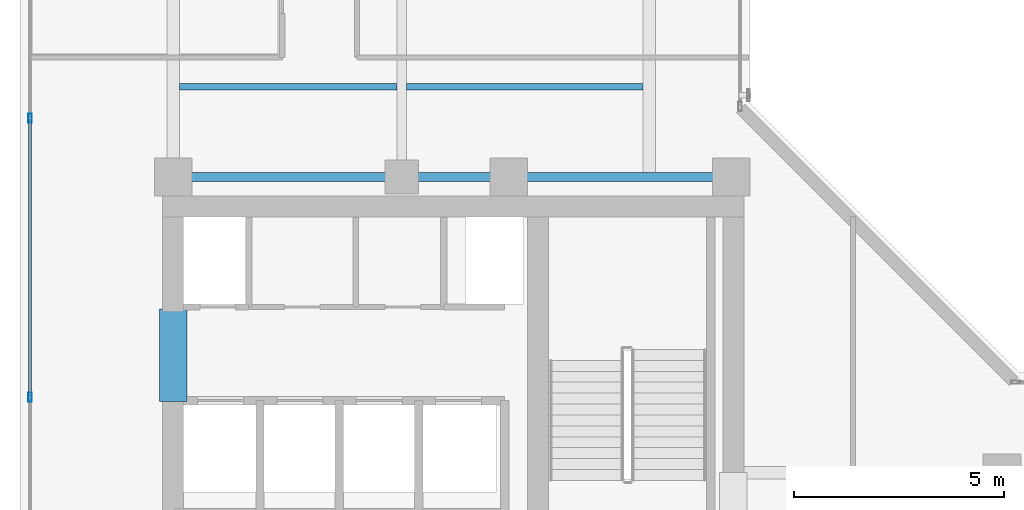
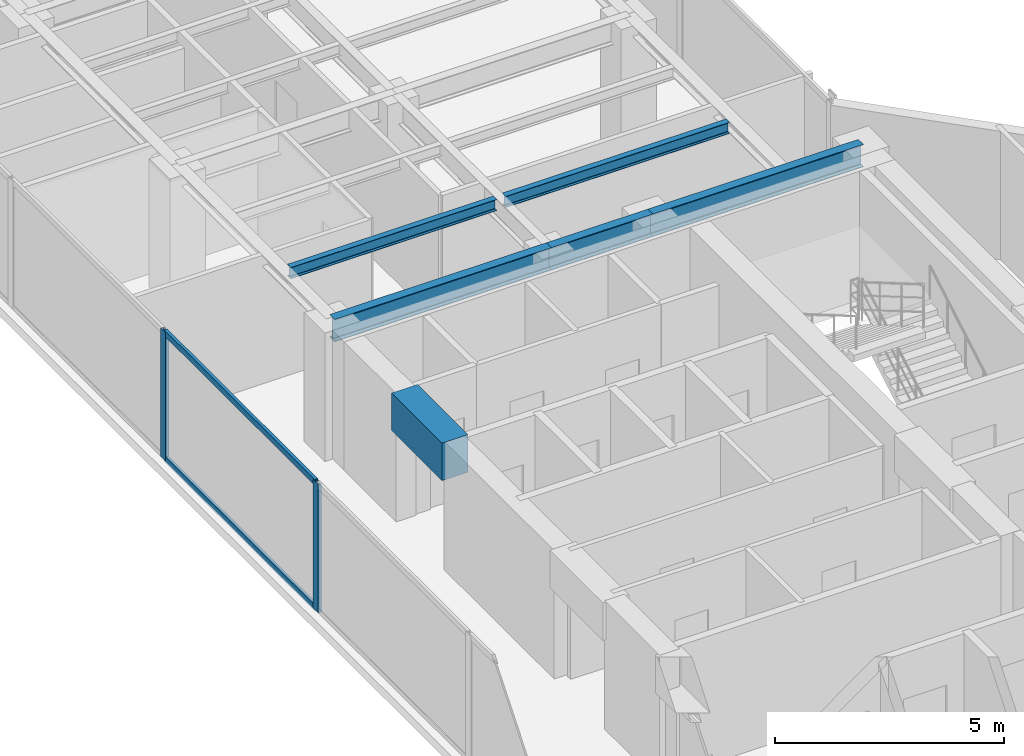
# One storey, part 6 of 23: 6 beams, 4 members, 1 element without a shape of its own.
"""IFC4 building model written with IfcOpenShell, lengths in metres."""

from ifc_helpers import new_model, si_unit, direction, frame, origin, origin_with_axes, origin_2d, place, context, subcontext, project, spatial, rectangle, hollow_rectangle, i_section, extrude, source, transform, mapped, material, layer, layer_set, material_profile, profile_set, type_object, element, aggregate, save


model = new_model("IFC4")

# Units and contexts
model_context = context("Model", 3, precision=1e-05, world=origin(), true_north=direction((0.0, 1.0)))
body_context = subcontext(model_context, "Body", "Model", "MODEL_VIEW")
ifc_project = project(units=[si_unit("LENGTHUNIT", "METRE"), si_unit("AREAUNIT", "SQUARE_METRE"), si_unit("VOLUMEUNIT", "CUBIC_METRE"), si_unit("PLANEANGLEUNIT", "RADIAN"), si_unit("MASSUNIT", "GRAM", prefix="KILO")], contexts=[model_context])

# Site, building, storey
site_placement = place(None, origin())
site = spatial("IfcSite", under=ifc_project, at=site_placement, CompositionType="ELEMENT")
building_placement = place(site_placement, origin())
building = spatial("IfcBuilding", under=site, at=building_placement, Name="Kolvaren Waterfront Exchange", CompositionType="ELEMENT")
storey_placement = place(building_placement, frame((0.0, 0.0, 335.0)))
storey = spatial("IfcBuildingStorey", under=building, at=storey_placement, Name="L86", CompositionType="ELEMENT", Elevation=335.0)

# Beams
ifc_material_1 = material(Name="Steel S355", Category="steel")
ifc_material_profile_1 = material_profile(ifc_material_1, i_section(OverallWidth=0.14990234375, OverallDepth=0.300048828125, WebThickness=0.007080078125, FlangeThickness=0.0107421875, FilletRadius=0.014892578125, at=origin_2d()), Name="IPE300")
ifc_profile_set_1 = profile_set([ifc_material_profile_1], Name="Steel S355")
beam_type_1 = type_object("IfcBeamType", Name="STR-BM-IPE300", PredefinedType="JOIST", material=ifc_profile_set_1)
beam_1_placement = place(storey_placement, frame((7.60205078125, 26.60009765625, 3.27001953125), z_axis=(1.0, 0.0, 0.0), x_axis=(0.0, 1.0, 0.0)))
element("IfcBeam", 1, at=beam_1_placement, inside=storey, type_object=beam_type_1, Name="L86 north-arm composite joist 1A", PredefinedType="JOIST", context=body_context, shape_type="SweptSolid", body=[
    extrude(i_section(OverallWidth=0.14990234375, OverallDepth=0.300048828125, WebThickness=0.007080078125, FlangeThickness=0.0107421875, FilletRadius=0.014892578125, at=origin_2d()), origin(), (0.0, 0.0, 1.0), 5.18603515625),
])
beam_2_placement = place(storey_placement, frame((13.011962890625, 26.60009765625, 3.27001953125), z_axis=(1.0, 0.0, 0.0), x_axis=(0.0, 1.0, 0.0)))
element("IfcBeam", 2, at=beam_2_placement, inside=storey, type_object=beam_type_1, Name="L86 north-arm composite joist 1B", PredefinedType="JOIST", context=body_context, shape_type="SweptSolid", body=[
    extrude(i_section(OverallWidth=0.14990234375, OverallDepth=0.300048828125, WebThickness=0.007080078125, FlangeThickness=0.0107421875, FilletRadius=0.014892578125, at=origin_2d()), origin(), (0.0, 0.0, 1.0), 5.635986328125),
])
ifc_material_profile_2 = material_profile(ifc_material_1, i_section(OverallWidth=0.219970703125, OverallDepth=0.60009765625, WebThickness=0.011962890625, FlangeThickness=0.01904296875, FilletRadius=0.02392578125, at=origin_2d()), Name="IPE600")
ifc_profile_set_2 = profile_set([ifc_material_profile_2], Name="Steel S355")
beam_type_2 = type_object("IfcBeamType", Name="STR-BM-IPE600", PredefinedType="BEAM", material=ifc_profile_set_2)
beam_3_placement = place(storey_placement, frame((7.449951171875, 24.449951171875, 3.1201171875), z_axis=(1.0, 0.0, 0.0), x_axis=(0.0, 1.0, 0.0)))
element("IfcBeam", 3, at=beam_3_placement, inside=storey, type_object=beam_type_2, Name="L86 north-arm girder 1A", PredefinedType="BEAM", context=body_context, shape_type="SweptSolid", body=[
    extrude(i_section(OverallWidth=0.219970703125, OverallDepth=0.60009765625, WebThickness=0.011962890625, FlangeThickness=0.01904296875, FilletRadius=0.02392578125, at=origin_2d()), origin(), (0.0, 0.0, 1.0), 5.449951171875),
])
beam_4_placement = place(storey_placement, frame((12.89990234375, 24.449951171875, 3.1201171875), z_axis=(1.0, 0.0, 0.0), x_axis=(0.0, 1.0, 0.0)))
element("IfcBeam", 4, at=beam_4_placement, inside=storey, type_object=beam_type_2, Name="L86 north-arm girder 1B", PredefinedType="BEAM", context=body_context, shape_type="SweptSolid", body=[
    extrude(i_section(OverallWidth=0.219970703125, OverallDepth=0.60009765625, WebThickness=0.011962890625, FlangeThickness=0.01904296875, FilletRadius=0.02392578125, at=origin_2d()), origin(), (0.0, 0.0, 1.0), 2.550048828125),
])
beam_5_placement = place(storey_placement, frame((15.449951171875, 24.449951171875, 3.1201171875), z_axis=(1.0, 0.0, 0.0), x_axis=(0.0, 1.0, 0.0)))
element("IfcBeam", 5, at=beam_5_placement, inside=storey, type_object=beam_type_2, Name="L86 north-arm girder 1C", PredefinedType="BEAM", context=body_context, shape_type="SweptSolid", body=[
    extrude(i_section(OverallWidth=0.219970703125, OverallDepth=0.60009765625, WebThickness=0.011962890625, FlangeThickness=0.01904296875, FilletRadius=0.02392578125, at=origin_2d()), origin(), (0.0, 0.0, 1.0), 5.300048828125),
])
ifc_material_2 = material(Name="Concrete C60/75", Category="concrete")
ifc_material_profile_3 = material_profile(ifc_material_2, rectangle(XDim=0.64990234375, YDim=1.0, at=origin_2d()), Name="RC-CB-1000x650")
ifc_profile_set_3 = profile_set([ifc_material_profile_3], Name="Concrete C60/75")
beam_type_3 = type_object("IfcBeamType", Name="STR-CB-1000", PredefinedType="SPANDREL", material=ifc_profile_set_3)
beam_6_placement = place(storey_placement, frame((7.449951171875, 19.10009765625, 2.919921875), z_axis=(0.0, 1.0, 0.0), x_axis=(-1.0, 0.0, 0.0)))
element("IfcBeam", 6, at=beam_6_placement, inside=storey, type_object=beam_type_3, Name="L86 core coupling beam 5", PredefinedType="SPANDREL", context=body_context, shape_type="SweptSolid", body=[
    extrude(rectangle(XDim=0.64990234375, YDim=1.0, at=origin_2d()), origin(), (0.0, 0.0, 1.0), 2.199951171875),
])

# Curtain wall, members
ifc_material_3 = material(Name="Anodised aluminium 6063-T6", Category="aluminium")
ifc_layer = layer(ifc_material_3, 0.219970703125, Name="Anodised aluminium 6063-T6")
ifc_layer_set = layer_set([ifc_layer], Name="Anodised aluminium 6063-T6")
curtain_wall_type = type_object("IfcCurtainWallType", Name="ARC-CW-SYS2", PredefinedType="USERDEFINED", material=ifc_layer_set)
curtain_wall_placement = place(storey_placement, origin())
curtain_wall = element("IfcCurtainWall", 7, at=curtain_wall_placement, inside=storey, type_object=curtain_wall_type, Name="L86 stick curtain wall CW2 (CW-L86-W)", ObjectType="STICK CURTAIN WALL", PredefinedType="USERDEFINED")
ifc_material_profile_4 = material_profile(ifc_material_3, hollow_rectangle(XDim=0.080078125, YDim=0.219970703125, WallThickness=0.0048828125, at=origin_2d()), Name="ALU-MUL-220x80x5")
ifc_profile_set_4 = profile_set([ifc_material_profile_4], Name="Anodised aluminium 6063-T6")
member_type_1 = type_object("IfcMemberType", Name="ARC-CWM-220", PredefinedType="MULLION", material=ifc_profile_set_4)
shared_shape_1 = source(origin_with_axes(), body_context, "Body", "SweptSolid", [
    extrude(hollow_rectangle(XDim=0.080078125, YDim=0.219970703125, WallThickness=0.0048828125, at=origin_2d()), origin(), (0.0, 0.0, 1.0), 3.419921875),
])
member_1_placement = place(storey_placement, frame((4.0400390625, 19.199951171875, 0.0), z_axis=(0.0, 0.0, 1.0), x_axis=(-1.0, 0.0, 0.0)))
member_1 = element("IfcMember", 8, at=member_1_placement, type_object=member_type_1, Name="CW2 mullion 3", PredefinedType="MULLION", context=body_context, shape_type="MappedRepresentation", body=[
    mapped(shared_shape_1, transform((0.0, 0.0, 0.0), x_axis=(1.0, 0.0, 0.0), y_axis=(0.0, 1.0, 0.0), z_axis=(0.0, 0.0, 1.0), scale=1.0)),
])
member_2_placement = place(storey_placement, frame((4.0400390625, 25.85009765625, 0.0), z_axis=(0.0, 0.0, 1.0), x_axis=(-1.0, 0.0, 0.0)))
member_2 = element("IfcMember", 9, at=member_2_placement, type_object=member_type_1, Name="CW2 mullion 4", PredefinedType="MULLION", context=body_context, shape_type="MappedRepresentation", body=[
    mapped(shared_shape_1, transform((0.0, 0.0, 0.0), x_axis=(1.0, 0.0, 0.0), y_axis=(0.0, 1.0, 0.0), z_axis=(0.0, 0.0, 1.0), scale=1.0)),
])
ifc_material_profile_5 = material_profile(ifc_material_3, hollow_rectangle(XDim=0.074951171875, YDim=0.159912109375, WallThickness=0.00439453125, at=origin_2d()), Name="ALU-TRN-160x75x4.5")
ifc_profile_set_5 = profile_set([ifc_material_profile_5], Name="Anodised aluminium 6063-T6")
member_type_2 = type_object("IfcMemberType", Name="ARC-CWT-160", PredefinedType="USERDEFINED", material=ifc_profile_set_5)
shared_shape_2 = source(origin_with_axes(), body_context, "Body", "SweptSolid", [
    extrude(hollow_rectangle(XDim=0.074951171875, YDim=0.159912109375, WallThickness=0.00439453125, at=origin_2d()), origin(), (0.0, 0.0, 1.0), 6.570068359375),
])
member_3_placement = place(storey_placement, frame((4.0400390625, 19.239990234375, 0.03759765625), z_axis=(0.0, 1.0, 0.0), x_axis=(-1.0, 0.0, 0.0)))
member_3 = element("IfcMember", 10, at=member_3_placement, type_object=member_type_2, Name="CW2 transom 3.1", ObjectType="TRANSOM", PredefinedType="USERDEFINED", context=body_context, shape_type="MappedRepresentation", body=[
    mapped(shared_shape_2, transform((0.0, 0.0, 0.0), x_axis=(1.0, 0.0, 0.0), y_axis=(0.0, 1.0, 0.0), z_axis=(0.0, 0.0, 1.0), scale=1.0)),
])
member_4_placement = place(storey_placement, frame((4.0400390625, 19.239990234375, 3.382568359375), z_axis=(0.0, 1.0, 0.0), x_axis=(-1.0, 0.0, 0.0)))
member_4 = element("IfcMember", 11, at=member_4_placement, type_object=member_type_2, Name="CW2 transom 3.2", ObjectType="TRANSOM", PredefinedType="USERDEFINED", context=body_context, shape_type="MappedRepresentation", body=[
    mapped(shared_shape_2, transform((0.0, 0.0, 0.0), x_axis=(1.0, 0.0, 0.0), y_axis=(0.0, 1.0, 0.0), z_axis=(0.0, 0.0, 1.0), scale=1.0)),
])
aggregate(curtain_wall, [member_1, member_2, member_3, member_4])

save(model, "model.ifc")
